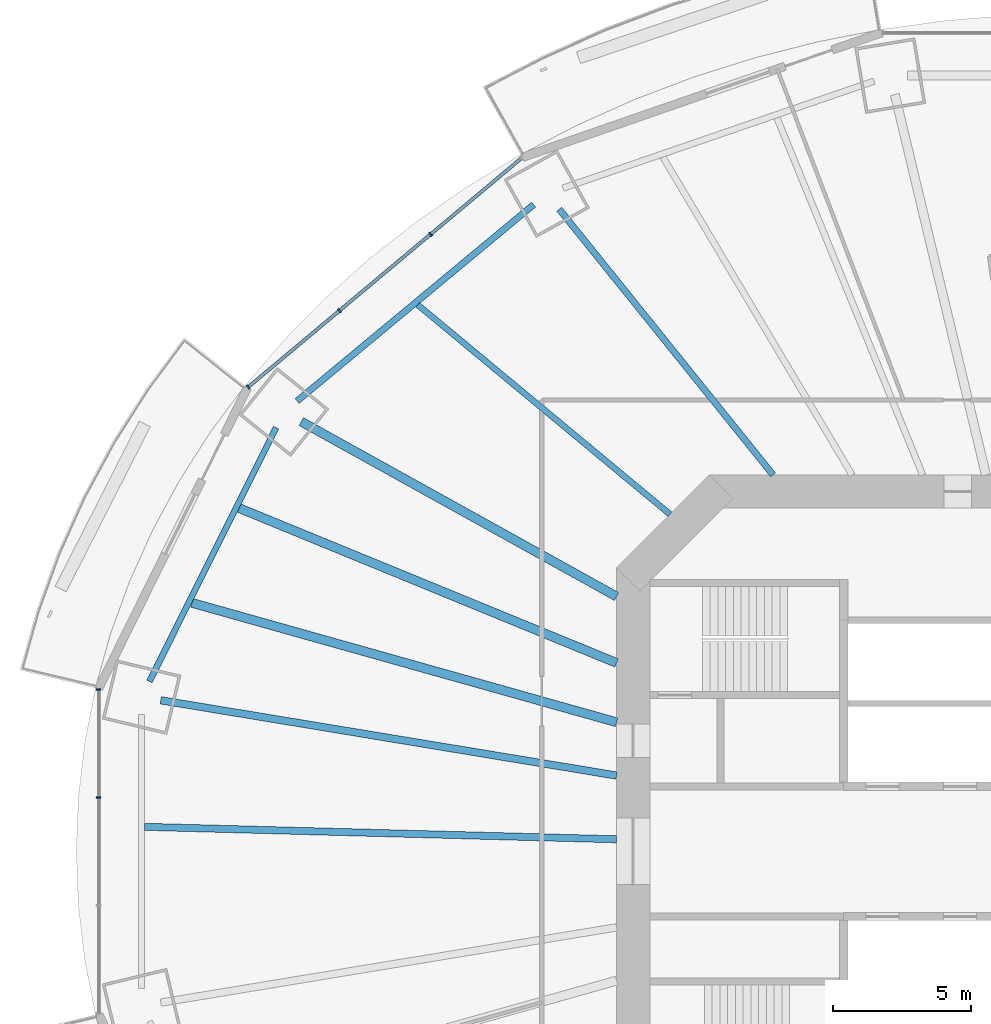
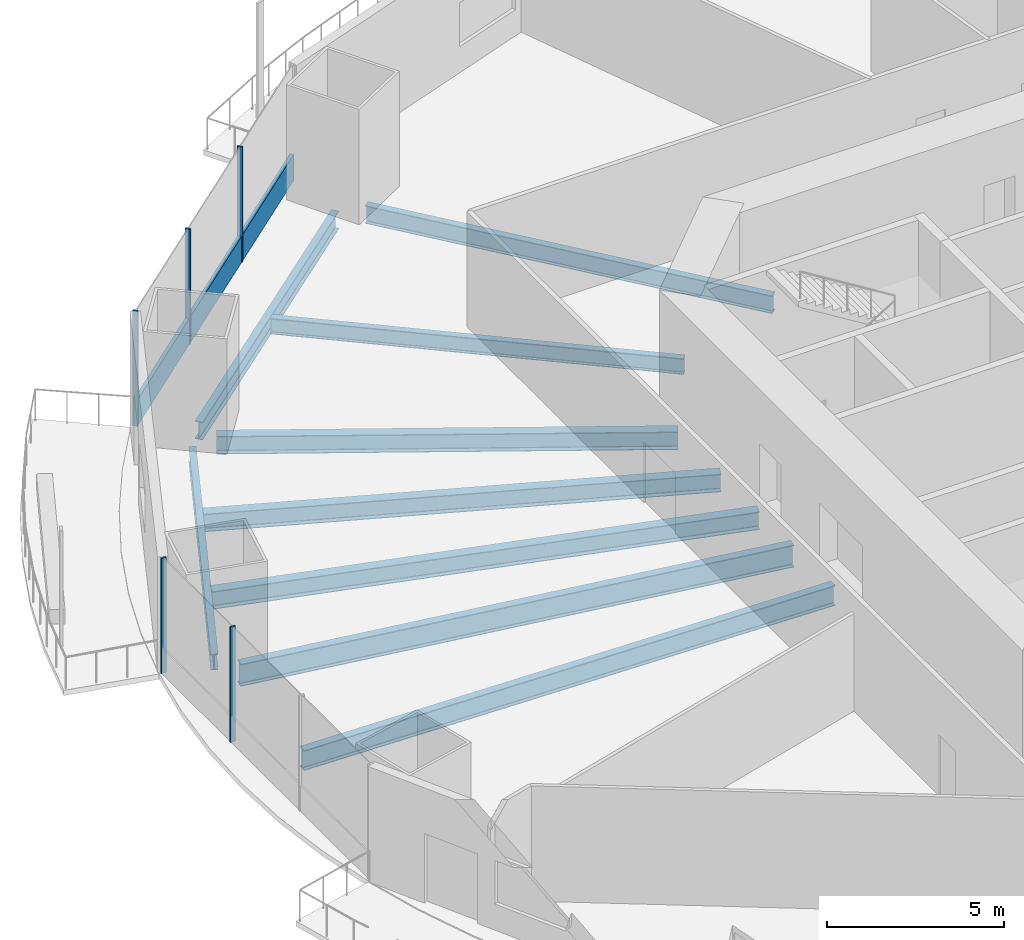
# One storey, part 6 of 23: 9 beams, 6 members, 2 elements without a shape of their own.
"""IFC4 building model written with IfcOpenShell, lengths in metres."""

from ifc_helpers import new_model, si_unit, direction, frame, origin, origin_2d, place, context, subcontext, project, spatial, rectangle, i_section, extrude, material, material_profile, profile_set, type_object, element, aggregate, save


model = new_model("IFC4")

# Units and contexts
model_context = context("Model", 3, precision=1e-05, world=origin(), true_north=direction((0.0, 1.0)))
body_context = subcontext(model_context, "Body", "Model", "MODEL_VIEW")
ifc_project = project(units=[si_unit("LENGTHUNIT", "METRE"), si_unit("AREAUNIT", "SQUARE_METRE"), si_unit("VOLUMEUNIT", "CUBIC_METRE"), si_unit("PLANEANGLEUNIT", "RADIAN"), si_unit("MASSUNIT", "GRAM", prefix="KILO")], contexts=[model_context])

# Site, building, storey
site_placement = place(None, origin())
site = spatial("IfcSite", under=ifc_project, at=site_placement, CompositionType="ELEMENT")
building_placement = place(site_placement, origin())
building = spatial("IfcBuilding", under=site, at=building_placement, Name="Marenthal Gate Tower", CompositionType="ELEMENT")
storey_placement = place(building_placement, frame((0.0, 0.0, 57.89990234375)))
storey = spatial("IfcBuildingStorey", under=building, at=storey_placement, Name="L10", CompositionType="ELEMENT", Elevation=57.89990234375)

# Curtain wall, members
ifc_material_1 = material(Name="Aluminium and glass", Category="aluminium")
curtain_wall_type = type_object("IfcCurtainWallType", Name="Curtain wall typical low", PredefinedType="NOTDEFINED", material=ifc_material_1)
curtain_wall_1_placement = place(storey_placement, origin())
curtain_wall_1 = element("IfcCurtainWall", 1, at=curtain_wall_1_placement, inside=storey, type_object=curtain_wall_type, Name="Curtain wall L10 bay 6", PredefinedType="NOTDEFINED")
ifc_material_2 = material(Name="Aluminium", Category="aluminium")
ifc_material_profile_1 = material_profile(ifc_material_2, rectangle(XDim=0.159912109375, YDim=0.06005859375, at=origin_2d()), Name="60x160 aluminium mullion")
ifc_profile_set_1 = profile_set([ifc_material_profile_1], Name="Aluminium")
member_type_1 = type_object("IfcMemberType", Name="Mullion 60x160 typical low", PredefinedType="MULLION", material=ifc_profile_set_1)
member_1_placement = place(storey_placement, frame((-23.315673828125, 22.288818359375, 0.0), z_axis=(0.0, 0.0, 1.0), x_axis=(0.642111737517, -0.766611059497, 0.0)))
member_1 = element("IfcMember", 2, at=member_1_placement, type_object=member_type_1, Name="Mullion L10 bay 6.2", PredefinedType="MULLION", context=body_context, shape_type="SweptSolid", body=[
    extrude(rectangle(XDim=0.159912109375, YDim=0.06005859375, at=origin_2d()), origin(), (0.0, 0.0, 1.0), 3.97021484375),
])
member_2_placement = place(storey_placement, frame((-26.61083984375, 19.529052734375, 0.0), z_axis=(0.0, 0.0, 1.0), x_axis=(0.642111737517, -0.766611059497, 0.0)))
member_2 = element("IfcMember", 3, at=member_2_placement, type_object=member_type_1, Name="Mullion L10 bay 6.3", PredefinedType="MULLION", context=body_context, shape_type="SweptSolid", body=[
    extrude(rectangle(XDim=0.159912109375, YDim=0.06005859375, at=origin_2d()), origin(), (0.0, 0.0, 1.0), 3.97021484375),
])
member_3_placement = place(storey_placement, frame((-29.90576171875, 16.76904296875, 0.0), z_axis=(0.0, 0.0, 1.0), x_axis=(0.642111737517, -0.766611059497, 0.0)))
member_3 = element("IfcMember", 4, at=member_3_placement, type_object=member_type_1, Name="Mullion L10 bay 6.4", PredefinedType="MULLION", context=body_context, shape_type="SweptSolid", body=[
    extrude(rectangle(XDim=0.159912109375, YDim=0.06005859375, at=origin_2d()), origin(), (0.0, 0.0, 1.0), 3.97021484375),
])

curtain_wall_2_placement = place(storey_placement, origin())
curtain_wall_2 = element("IfcCurtainWall", 5, at=curtain_wall_2_placement, inside=storey, type_object=curtain_wall_type, Name="Curtain wall L10 bay 8", PredefinedType="NOTDEFINED")
member_4_placement = place(storey_placement, frame((-35.303466796875, 5.851806640625, 0.0), z_axis=(0.0, 0.0, 1.0), x_axis=(1.0, 0.0, 0.0)))
member_4 = element("IfcMember", 6, at=member_4_placement, type_object=member_type_1, Name="Mullion L10 bay 8.1", PredefinedType="MULLION", context=body_context, shape_type="SweptSolid", body=[
    extrude(rectangle(XDim=0.159912109375, YDim=0.06005859375, at=origin_2d()), origin(), (0.0, 0.0, 1.0), 3.97021484375),
])
member_5_placement = place(storey_placement, frame((-35.303466796875, 1.95068359375, 0.0), z_axis=(0.0, 0.0, 1.0), x_axis=(1.0, 0.0, 0.0)))
member_5 = element("IfcMember", 7, at=member_5_placement, type_object=member_type_1, Name="Mullion L10 bay 8.2", PredefinedType="MULLION", context=body_context, shape_type="SweptSolid", body=[
    extrude(rectangle(XDim=0.159912109375, YDim=0.06005859375, at=origin_2d()), origin(), (0.0, 0.0, 1.0), 3.97021484375),
])
aggregate(curtain_wall_2, [member_4, member_5])

# Member
ifc_material_3 = material(Name="Aluminium", Category="aluminium")
ifc_material_profile_2 = material_profile(ifc_material_3, rectangle(XDim=0.1201171875, YDim=0.89990234375, at=origin_2d()), Name="120x900 aluminium transom")
ifc_profile_set_2 = profile_set([ifc_material_profile_2], Name="Aluminium")
member_type_2 = type_object("IfcMemberType", Name="Transom 120x900 typical low", PredefinedType="USERDEFINED", material=ifc_profile_set_2)
member_6_placement = place(storey_placement, frame((-20.043701171875, 25.029541015625, 0.4501953125), z_axis=(-0.766611330769, -0.642111413648, 0.0), x_axis=(0.642111413648, -0.766611330769, 0.0)))
member_6 = element("IfcMember", 8, at=member_6_placement, type_object=member_type_2, Name="Transom L10 bay 6", ObjectType="TRANSOM", PredefinedType="USERDEFINED", context=body_context, shape_type="SweptSolid", body=[
    extrude(rectangle(XDim=0.1201171875, YDim=0.89990234375, at=origin_2d()), origin(), (0.0, 0.0, 1.0), 12.83447265625),
])

aggregate(curtain_wall_1, [member_1, member_2, member_3, member_6])

# Beams
ifc_material_4 = material(Name="Steel S355", Category="steel")
ifc_material_profile_3 = material_profile(ifc_material_4, i_section(OverallWidth=0.2119140625, OverallDepth=0.5439453125, WebThickness=0.01318359375, FlangeThickness=0.021240234375, FilletRadius=0.0126953125, at=origin_2d()), Name="W530X123")
ifc_profile_set_3 = profile_set([ifc_material_profile_3], Name="Steel S355")
beam_type_1 = type_object("IfcBeamType", Name="W530X123 beam", PredefinedType="BEAM", material=ifc_profile_set_3)
beam_1_placement = place(storey_placement, frame((-23.77783203125, 19.73876953125, -0.451904296875), z_axis=(0.769432069778, -0.638728651304, 0.0), x_axis=(0.638728651304, 0.769432069778, 0.0)))
element("IfcBeam", 9, at=beam_1_placement, inside=storey, type_object=beam_type_1, Name="BM-L10-25", PredefinedType="BEAM", context=body_context, shape_type="SweptSolid", body=[
    extrude(i_section(OverallWidth=0.2119140625, OverallDepth=0.5439453125, WebThickness=0.01318359375, FlangeThickness=0.021240234375, FilletRadius=0.0126953125, at=origin_2d()), origin(), (0.0, 0.0, 1.0), 11.8369140625),
])
beam_2_placement = place(storey_placement, frame((-28.894287109375, 15.31201171875, -0.451904296875), z_axis=(-0.446499206551, -0.894784028998, 0.0), x_axis=(0.894784028998, -0.446499206551, 0.0)))
element("IfcBeam", 10, at=beam_2_placement, inside=storey, type_object=beam_type_1, Name="BM-L10-47", PredefinedType="BEAM", context=body_context, shape_type="SweptSolid", body=[
    extrude(i_section(OverallWidth=0.2119140625, OverallDepth=0.5439453125, WebThickness=0.01318359375, FlangeThickness=0.021240234375, FilletRadius=0.0126953125, at=origin_2d()), origin(), (0.0, 0.0, 1.0), 10.25439453125),
])
ifc_material_5 = material(Name="Steel S355", Category="steel")
ifc_material_profile_4 = material_profile(ifc_material_5, i_section(OverallWidth=0.22900390625, OverallDepth=0.612060546875, WebThickness=0.011962890625, FlangeThickness=0.01953125, FilletRadius=0.0126953125, at=origin_2d()), Name="W610X125")
ifc_profile_set_4 = profile_set([ifc_material_profile_4], Name="Steel S355")
beam_type_2 = type_object("IfcBeamType", Name="W610X125 beam", PredefinedType="BEAM", material=ifc_profile_set_4)
beam_3_placement = place(storey_placement, frame((-18.669921875, 23.195068359375, -0.48583984375), z_axis=(0.62702730147, -0.778997280618, 0.0), x_axis=(0.778997280618, 0.62702730147, 0.0)))
element("IfcBeam", 11, at=beam_3_placement, inside=storey, type_object=beam_type_2, Name="BM-L10-06", PredefinedType="BEAM", context=body_context, shape_type="SweptSolid", body=[
    extrude(i_section(OverallWidth=0.22900390625, OverallDepth=0.612060546875, WebThickness=0.011962890625, FlangeThickness=0.01953125, FilletRadius=0.0126953125, at=origin_2d()), origin(), (0.0, 0.0, 1.0), 12.317138671875),
])
beam_4_placement = place(storey_placement, frame((-19.596435546875, 23.358642578125, -0.48583984375), z_axis=(-0.769424366687, -0.63873793057, 0.0), x_axis=(0.63873793057, -0.769424366687, 0.0)))
element("IfcBeam", 12, at=beam_4_placement, inside=storey, type_object=beam_type_2, Name="BM-L10-46", PredefinedType="BEAM", context=body_context, shape_type="SweptSolid", body=[
    extrude(i_section(OverallWidth=0.22900390625, OverallDepth=0.612060546875, WebThickness=0.011962890625, FlangeThickness=0.01953125, FilletRadius=0.0126953125, at=origin_2d()), origin(), (0.0, 0.0, 1.0), 11.0986328125),
])
ifc_material_6 = material(Name="Steel S355", Category="steel")
ifc_material_profile_5 = material_profile(ifc_material_6, i_section(OverallWidth=0.324951171875, OverallDepth=0.612060546875, WebThickness=0.0126953125, FlangeThickness=0.01904296875, FilletRadius=0.0126953125, at=origin_2d()), Name="W610X155")
ifc_profile_set_5 = profile_set([ifc_material_profile_5], Name="Steel S355")
beam_type_3 = type_object("IfcBeamType", Name="W610X155 beam", PredefinedType="BEAM", material=ifc_profile_set_5)
beam_5_placement = place(storey_placement, frame((-27.9873046875, 15.52392578125, -0.48583984375), z_axis=(0.874477229212, -0.485066568204, 0.0), x_axis=(0.485066568204, 0.874477229212, 0.0)))
element("IfcBeam", 13, at=beam_5_placement, inside=storey, type_object=beam_type_3, Name="BM-L10-07", PredefinedType="BEAM", context=body_context, shape_type="SweptSolid", body=[
    extrude(i_section(OverallWidth=0.324951171875, OverallDepth=0.612060546875, WebThickness=0.0126953125, FlangeThickness=0.01904296875, FilletRadius=0.0126953125, at=origin_2d()), origin(), (0.0, 0.0, 1.0), 13.021728515625),
])
beam_6_placement = place(storey_placement, frame((-30.2294921875, 12.39892578125, -0.48583984375), z_axis=(0.925197564596, -0.379485792178, 0.0), x_axis=(0.379485792178, 0.925197564596, 0.0)))
element("IfcBeam", 14, at=beam_6_placement, inside=storey, type_object=beam_type_3, Name="BM-L10-26", PredefinedType="BEAM", context=body_context, shape_type="SweptSolid", body=[
    extrude(i_section(OverallWidth=0.324951171875, OverallDepth=0.612060546875, WebThickness=0.0126953125, FlangeThickness=0.01904296875, FilletRadius=0.0126953125, at=origin_2d()), origin(), (0.0, 0.0, 1.0), 14.7314453125),
])
beam_7_placement = place(storey_placement, frame((-31.93701171875, 8.977294921875, -0.48583984375), z_axis=(0.962687377479, -0.270615988521, 0.0), x_axis=(0.270615988521, 0.962687377479, 0.0)))
element("IfcBeam", 15, at=beam_7_placement, inside=storey, type_object=beam_type_3, Name="BM-L10-27", PredefinedType="BEAM", context=body_context, shape_type="SweptSolid", body=[
    extrude(i_section(OverallWidth=0.324951171875, OverallDepth=0.612060546875, WebThickness=0.0126953125, FlangeThickness=0.01904296875, FilletRadius=0.0126953125, at=origin_2d()), origin(), (0.0, 0.0, 1.0), 15.931396484375),
])
ifc_material_7 = material(Name="Steel S355", Category="steel")
ifc_material_profile_6 = material_profile(ifc_material_7, i_section(OverallWidth=0.257080078125, OverallDepth=0.693115234375, WebThickness=0.014404296875, FlangeThickness=0.023681640625, FilletRadius=0.015380859375, at=origin_2d()), Name="W690X170")
ifc_profile_set_6 = profile_set([ifc_material_profile_6], Name="Steel S355")
beam_type_4 = type_object("IfcBeamType", Name="W690X170 beam", PredefinedType="BEAM", material=ifc_profile_set_6)
beam_8_placement = place(storey_placement, frame((-33.647705078125, 0.888916015625, -0.5263671875), z_axis=(0.999651487797, -0.026398919379, 0.0), x_axis=(0.026398919379, 0.999651487797, 0.0)))
element("IfcBeam", 16, at=beam_8_placement, inside=storey, type_object=beam_type_4, Name="BM-L10-28", PredefinedType="BEAM", context=body_context, shape_type="SweptSolid", body=[
    extrude(i_section(OverallWidth=0.257080078125, OverallDepth=0.693115234375, WebThickness=0.014404296875, FlangeThickness=0.023681640625, FilletRadius=0.015380859375, at=origin_2d()), origin(), (0.0, 0.0, 1.0), 17.053466796875),
])
ifc_material_8 = material(Name="Steel S355", Category="steel")
ifc_material_profile_7 = material_profile(ifc_material_8, i_section(OverallWidth=0.26708984375, OverallDepth=0.761962890625, WebThickness=0.014404296875, FlangeThickness=0.021484375, FilletRadius=0.0166015625, at=origin_2d()), Name="W760X173")
ifc_profile_set_7 = profile_set([ifc_material_profile_7], Name="Steel S355")
beam_type_5 = type_object("IfcBeamType", Name="W760X173 beam", PredefinedType="BEAM", material=ifc_profile_set_7)
beam_9_placement = place(storey_placement, frame((-33.06005859375, 5.458984375, -0.560791015625), z_axis=(0.986638832435, -0.16292272503, 0.0), x_axis=(0.16292272503, 0.986638832435, 0.0)))
element("IfcBeam", 17, at=beam_9_placement, inside=storey, type_object=beam_type_5, Name="BM-L10-08", PredefinedType="BEAM", context=body_context, shape_type="SweptSolid", body=[
    extrude(i_section(OverallWidth=0.26708984375, OverallDepth=0.761962890625, WebThickness=0.014404296875, FlangeThickness=0.021484375, FilletRadius=0.0166015625, at=origin_2d()), origin(), (0.0, 0.0, 1.0), 16.682861328125),
])

save(model, "model.ifc")
